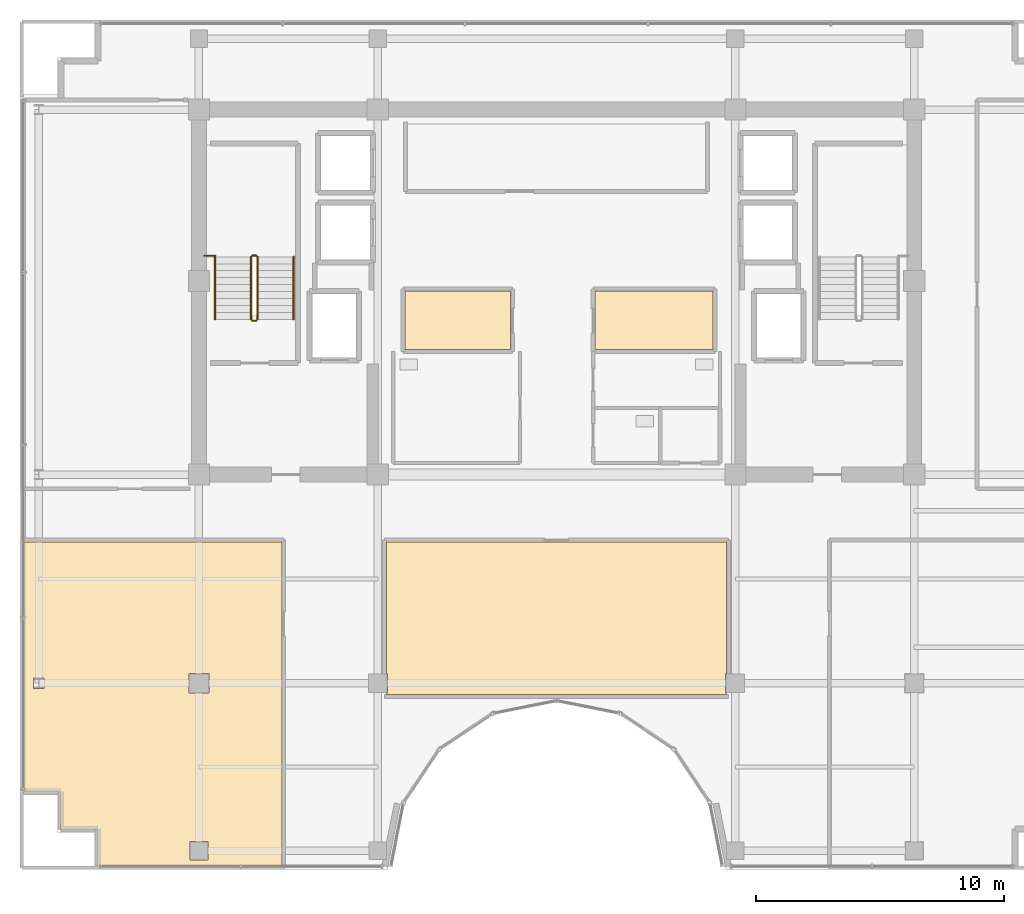
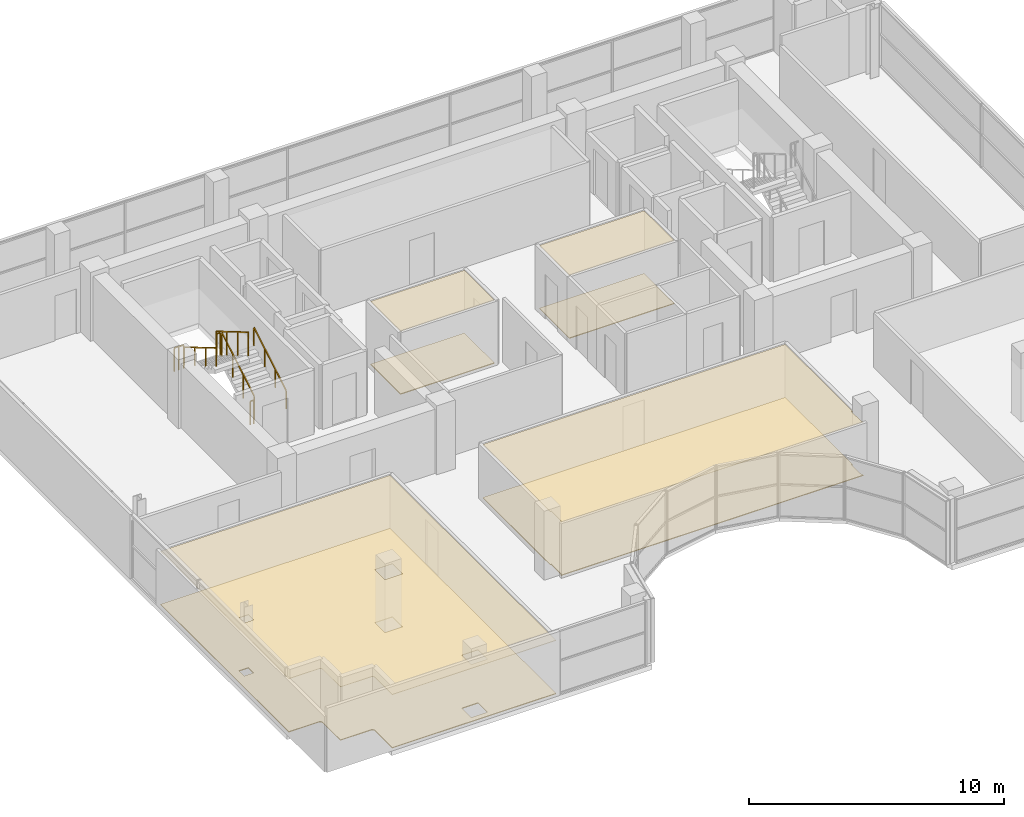
# One storey, part 26 of 29: 8 coverings, 7 railings.
"""IFC4 building model written with IfcOpenShell, lengths in metres."""

from ifc_helpers import new_model, si_unit, direction, frame, origin, origin_2d, place, context, subcontext, project, spatial, polyline, rectangle, outline, extrude, material, layer, layer_set, type_object, element, save


model = new_model("IFC4")

# Units and contexts
model_context = context("Model", 3, precision=1e-05, world=origin(), true_north=direction((0.0, 1.0)))
body_context = subcontext(model_context, "Body", "Model", "MODEL_VIEW")
ifc_project = project(units=[si_unit("LENGTHUNIT", "METRE"), si_unit("AREAUNIT", "SQUARE_METRE"), si_unit("VOLUMEUNIT", "CUBIC_METRE"), si_unit("PLANEANGLEUNIT", "RADIAN"), si_unit("MASSUNIT", "GRAM", prefix="KILO")], contexts=[model_context])

# Site, building, storey
site_placement = place(None, origin())
site = spatial("IfcSite", under=ifc_project, at=site_placement, CompositionType="ELEMENT")
building_placement = place(site_placement, origin())
building = spatial("IfcBuilding", under=site, at=building_placement, Name="Zarnakvel Exchange Tower", CompositionType="ELEMENT")
storey_placement = place(building_placement, frame((0.0, 0.0, 265.0)))
storey = spatial("IfcBuildingStorey", under=building, at=storey_placement, Name="L75", CompositionType="ELEMENT", Elevation=265.0)

# Coverings
ifc_material_1 = material(Name="Perforated Bronze Acoustic Metal Ceiling", Category="aluminium")
ifc_layer_1 = layer(ifc_material_1, 0.02001953125)
ifc_layer_set_1 = layer_set([ifc_layer_1], Name="Perforated Bronze Acoustic Metal Ceiling")
covering_type_1 = type_object("IfcCoveringType", Name="CLG-01", PredefinedType="CEILING", material=ifc_layer_set_1)
covering_1_placement = place(storey_placement, frame((0.0, 0.0, 3.014892578125)))
element("IfcCovering", 1, at=covering_1_placement, inside=storey, type_object=covering_type_1, Name="L75 Suspended Acoustic Ceiling (Sovereign Compliance Office)", PredefinedType="CEILING", context=body_context, shape_type="SweptSolid", body=[
    extrude(outline(polyline([(-6.10009765625, 6.199951171875), (-1.85009765625, 6.199951171875), (-1.85009765625, 3.840087890625), (-6.10009765625, 3.840087890625), (-6.10009765625, 6.199951171875)])), origin(), (0.0, 0.0, 1.0), 0.02001953125),
])
covering_2_placement = place(storey_placement, frame((0.0, 0.0, 3.014892578125)))
element("IfcCovering", 2, at=covering_2_placement, inside=storey, type_object=covering_type_1, Name="L75 Suspended Acoustic Ceiling (Depository Legal Office)", PredefinedType="CEILING", context=body_context, shape_type="SweptSolid", body=[
    extrude(outline(polyline([(1.550048828125, 6.199951171875), (6.300048828125, 6.199951171875), (6.300048828125, 3.840087890625), (1.550048828125, 3.840087890625), (1.550048828125, 6.199951171875)])), origin(), (0.0, 0.0, 1.0), 0.02001953125),
])
covering_3_placement = place(storey_placement, frame((0.0, 0.0, 2.554931640625)))
element("IfcCovering", 3, at=covering_3_placement, inside=storey, type_object=covering_type_1, Name="L75 Suspended Acoustic Ceiling (Commodities Dealing Room)", PredefinedType="CEILING", context=body_context, shape_type="SweptSolid", body=[
    extrude(outline(polyline([(-11.06005859375, -3.909912109375), (-11.06005859375, -16.949951171875), (-18.47998046875, -16.949951171875), (-18.47998046875, -15.60009765625), (-18.48046875, -15.588134765625), (-18.482421875, -15.57666015625), (-18.485107421875, -15.565185546875), (-18.489013671875, -15.55419921875), (-18.494140625, -15.54345703125), (-18.500244140625, -15.533447265625), (-18.50732421875, -15.52392578125), (-18.51513671875, -15.51513671875), (-18.52392578125, -15.50732421875), (-18.533447265625, -15.500244140625), (-18.54345703125, -15.494140625), (-18.55419921875, -15.489013671875), (-18.565185546875, -15.485107421875), (-18.57666015625, -15.482421875), (-18.588134765625, -15.48046875), (-18.60009765625, -15.47998046875), (-19.97998046875, -15.47998046875), (-19.97998046875, -14.10009765625), (-19.98046875, -14.088134765625), (-19.982421875, -14.07666015625), (-19.985107421875, -14.065185546875), (-19.989013671875, -14.05419921875), (-19.994140625, -14.04345703125), (-20.000244140625, -14.033447265625), (-20.00732421875, -14.02392578125), (-20.01513671875, -14.01513671875), (-20.02392578125, -14.00732421875), (-20.033447265625, -14.000244140625), (-20.04345703125, -13.994140625), (-20.05419921875, -13.989013671875), (-20.065185546875, -13.985107421875), (-20.07666015625, -13.982421875), (-20.088134765625, -13.98046875), (-20.10009765625, -13.97998046875), (-21.449951171875, -13.97998046875), (-21.449951171875, -3.909912109375), (-11.06005859375, -3.909912109375)]), holes=[polyline([(-14.0048828125, -9.9951171875), (-14.0048828125, -9.205078125), (-14.794921875, -9.205078125), (-14.794921875, -9.9951171875), (-14.0048828125, -9.9951171875)]), polyline([(-14.030029296875, -15.97998046875), (-14.77001953125, -15.97998046875), (-14.77001953125, -16.719970703125), (-14.030029296875, -16.719970703125), (-14.030029296875, -15.97998046875)]), polyline([(-20.642578125, -9.807373046875), (-20.642578125, -9.392578125), (-21.057373046875, -9.392578125), (-21.057373046875, -9.807373046875), (-20.642578125, -9.807373046875)])]), origin(), (0.0, 0.0, 1.0), 0.02001953125),
])
covering_4_placement = place(storey_placement, frame((0.0, 0.0, 2.554931640625)))
element("IfcCovering", 4, at=covering_4_placement, inside=storey, type_object=covering_type_1, Name="L75 Suspended Acoustic Ceiling (Breakout Lounge)", PredefinedType="CEILING", context=body_context, shape_type="SweptSolid", body=[
    extrude(outline(polyline([(-6.85009765625, -9.9951171875), (-6.804931640625, -9.9951171875), (-6.804931640625, -9.205078125), (-6.85009765625, -9.205078125), (-6.85009765625, -3.909912109375), (6.85009765625, -3.909912109375), (6.85009765625, -9.205078125), (6.804931640625, -9.205078125), (6.804931640625, -9.9951171875), (6.85009765625, -9.9951171875), (6.85009765625, -10.050048828125), (-6.85009765625, -10.050048828125), (-6.85009765625, -9.9951171875)])), origin(), (0.0, 0.0, 1.0), 0.02001953125),
])
ifc_material_2 = material(Name="Heavy-Duty Raised Access Floor Panel", Category="steel")
ifc_layer_2 = layer(ifc_material_2, 0.034912109375)
ifc_layer_set_2 = layer_set([ifc_layer_2], Name="Heavy-Duty Raised Access Floor Panel")
covering_type_2 = type_object("IfcCoveringType", Name="FLR-02", PredefinedType="FLOORING", material=ifc_layer_set_2)
covering_5_placement = place(storey_placement, origin())
element("IfcCovering", 5, at=covering_5_placement, inside=storey, type_object=covering_type_2, Name="L75 Floor Finish (Sovereign Compliance Office)", PredefinedType="FLOORING", context=body_context, shape_type="SweptSolid", body=[
    extrude(outline(polyline([(-6.10009765625, 6.199951171875), (-1.85009765625, 6.199951171875), (-1.85009765625, 3.840087890625), (-6.10009765625, 3.840087890625), (-6.10009765625, 6.199951171875)])), origin(), (0.0, 0.0, 1.0), 0.034912109375),
])
covering_6_placement = place(storey_placement, origin())
element("IfcCovering", 6, at=covering_6_placement, inside=storey, type_object=covering_type_2, Name="L75 Floor Finish (Depository Legal Office)", PredefinedType="FLOORING", context=body_context, shape_type="SweptSolid", body=[
    extrude(outline(polyline([(1.550048828125, 6.199951171875), (6.300048828125, 6.199951171875), (6.300048828125, 3.840087890625), (1.550048828125, 3.840087890625), (1.550048828125, 6.199951171875)])), origin(), (0.0, 0.0, 1.0), 0.034912109375),
])
covering_7_placement = place(storey_placement, origin())
element("IfcCovering", 7, at=covering_7_placement, inside=storey, type_object=covering_type_2, Name="L75 Floor Finish (Commodities Dealing Room)", PredefinedType="FLOORING", context=body_context, shape_type="SweptSolid", body=[
    extrude(outline(polyline([(-11.06005859375, -3.909912109375), (-11.06005859375, -16.949951171875), (-18.47998046875, -16.949951171875), (-18.47998046875, -15.60009765625), (-18.48046875, -15.588134765625), (-18.482421875, -15.57666015625), (-18.485107421875, -15.565185546875), (-18.489013671875, -15.55419921875), (-18.494140625, -15.54345703125), (-18.500244140625, -15.533447265625), (-18.50732421875, -15.52392578125), (-18.51513671875, -15.51513671875), (-18.52392578125, -15.50732421875), (-18.533447265625, -15.500244140625), (-18.54345703125, -15.494140625), (-18.55419921875, -15.489013671875), (-18.565185546875, -15.485107421875), (-18.57666015625, -15.482421875), (-18.588134765625, -15.48046875), (-18.60009765625, -15.47998046875), (-19.97998046875, -15.47998046875), (-19.97998046875, -14.10009765625), (-19.98046875, -14.088134765625), (-19.982421875, -14.07666015625), (-19.985107421875, -14.065185546875), (-19.989013671875, -14.05419921875), (-19.994140625, -14.04345703125), (-20.000244140625, -14.033447265625), (-20.00732421875, -14.02392578125), (-20.01513671875, -14.01513671875), (-20.02392578125, -14.00732421875), (-20.033447265625, -14.000244140625), (-20.04345703125, -13.994140625), (-20.05419921875, -13.989013671875), (-20.065185546875, -13.985107421875), (-20.07666015625, -13.982421875), (-20.088134765625, -13.98046875), (-20.10009765625, -13.97998046875), (-21.449951171875, -13.97998046875), (-21.449951171875, -3.909912109375), (-11.06005859375, -3.909912109375)]), holes=[polyline([(-14.0048828125, -9.9951171875), (-14.0048828125, -9.205078125), (-14.794921875, -9.205078125), (-14.794921875, -9.9951171875), (-14.0048828125, -9.9951171875)]), polyline([(-14.030029296875, -15.97998046875), (-14.77001953125, -15.97998046875), (-14.77001953125, -16.719970703125), (-14.030029296875, -16.719970703125), (-14.030029296875, -15.97998046875)]), polyline([(-20.642578125, -9.807373046875), (-20.642578125, -9.392578125), (-21.057373046875, -9.392578125), (-21.057373046875, -9.807373046875), (-20.642578125, -9.807373046875)])]), origin(), (0.0, 0.0, 1.0), 0.034912109375),
])
covering_8_placement = place(storey_placement, origin())
element("IfcCovering", 8, at=covering_8_placement, inside=storey, type_object=covering_type_2, Name="L75 Floor Finish (Breakout Lounge)", PredefinedType="FLOORING", context=body_context, shape_type="SweptSolid", body=[
    extrude(outline(polyline([(-6.85009765625, -9.9951171875), (-6.804931640625, -9.9951171875), (-6.804931640625, -9.205078125), (-6.85009765625, -9.205078125), (-6.85009765625, -3.909912109375), (6.85009765625, -3.909912109375), (6.85009765625, -9.205078125), (6.804931640625, -9.205078125), (6.804931640625, -9.9951171875), (6.85009765625, -9.9951171875), (6.85009765625, -10.050048828125), (-6.85009765625, -10.050048828125), (-6.85009765625, -9.9951171875)])), origin(), (0.0, 0.0, 1.0), 0.034912109375),
])

# Railings
ifc_material_3 = material(Name="Brushed Stainless Steel", Category="steel")
railing_type_1 = type_object("IfcRailingType", Name="HR-01", PredefinedType="HANDRAIL", material=ifc_material_3)
railing_1_placement = place(storey_placement, frame((-10.590087890625, 5.050048828125, 0.1650390625)))
element("IfcRailing", 9, at=railing_1_placement, inside=storey, type_object=railing_type_1, Name="L75 ST-01 stair handrail 1", PredefinedType="HANDRAIL", context=body_context, shape_type="SweptSolid", body=[
    extrude(rectangle(XDim=0.048095703125, YDim=0.048095703125, at=origin_2d()), frame((0.0, 0.0, 0.8759765625), z_axis=(0.0, 0.861560626758, 0.507654692109), x_axis=(-1.0, 0.0, 0.0)), (0.0, 0.0, 1.0), 2.925048828125),
    extrude(rectangle(XDim=0.0419921875, YDim=0.0419921875, at=origin_2d()), origin(), (0.0, 0.0, 1.0), 0.851806640625),
    extrude(rectangle(XDim=0.0419921875, YDim=0.0419921875, at=origin_2d()), frame((0.0, 0.840087890625, 0.494873046875)), (0.0, 0.0, 1.0), 0.851806640625),
    extrude(rectangle(XDim=0.0419921875, YDim=0.0419921875, at=origin_2d()), frame((0.0, 1.679931640625, 0.989990234375)), (0.0, 0.0, 1.0), 0.851806640625),
    extrude(rectangle(XDim=0.0419921875, YDim=0.0419921875, at=origin_2d()), frame((0.0, 2.52001953125, 1.48486328125)), (0.0, 0.0, 1.0), 0.851806640625),
])
railing_2_placement = place(storey_placement, frame((-13.75, 7.570068359375, 1.81494140625)))
element("IfcRailing", 10, at=railing_2_placement, inside=storey, type_object=railing_type_1, Name="L75 ST-01 stair handrail 2", PredefinedType="HANDRAIL", context=body_context, shape_type="SweptSolid", body=[
    extrude(rectangle(XDim=0.048095703125, YDim=0.048095703125, at=origin_2d()), frame((0.0, 0.0, 0.8759765625), z_axis=(0.0, -0.86152411907, 0.507716645641), x_axis=(1.0, 0.0, 0.0)), (0.0, 0.0, 1.0), 2.925048828125),
    extrude(rectangle(XDim=0.0419921875, YDim=0.0419921875, at=origin_2d()), origin(), (0.0, 0.0, 1.0), 0.851806640625),
    extrude(rectangle(XDim=0.0419921875, YDim=0.0419921875, at=origin_2d()), frame((0.0, -0.840087890625, 0.4951171875)), (0.0, 0.0, 1.0), 0.851806640625),
    extrude(rectangle(XDim=0.0419921875, YDim=0.0419921875, at=origin_2d()), frame((0.0, -1.679931640625, 0.989990234375)), (0.0, 0.0, 1.0), 0.851806640625),
    extrude(rectangle(XDim=0.0419921875, YDim=0.0419921875, at=origin_2d()), frame((0.0, -2.52001953125, 1.485107421875)), (0.0, 0.0, 1.0), 0.851806640625),
])
ifc_material_4 = material(Name="Architectural Bronze Anodised Aluminium", Category="aluminium")
railing_type_2 = type_object("IfcRailingType", Name="SG-01", PredefinedType="GUARDRAIL", material=ifc_material_4)
railing_3_placement = place(storey_placement, frame((-12.0400390625, 5.050048828125, 0.1650390625)))
element("IfcRailing", 11, at=railing_3_placement, inside=storey, type_object=railing_type_2, Name="L75 ST-01 stair guard 1", PredefinedType="GUARDRAIL", context=body_context, shape_type="SweptSolid", body=[
    extrude(rectangle(XDim=0.048095703125, YDim=0.048095703125, at=origin_2d()), frame((0.0, 0.0, 1.1259765625), z_axis=(0.0, 0.861560626758, 0.507654692109), x_axis=(-1.0, 0.0, 0.0)), (0.0, 0.0, 1.0), 2.925048828125),
    extrude(rectangle(XDim=0.0419921875, YDim=0.0419921875, at=origin_2d()), origin(), (0.0, 0.0, 1.0), 1.101806640625),
    extrude(rectangle(XDim=0.0419921875, YDim=0.0419921875, at=origin_2d()), frame((0.0, 0.840087890625, 0.494873046875)), (0.0, 0.0, 1.0), 1.101806640625),
    extrude(rectangle(XDim=0.0419921875, YDim=0.0419921875, at=origin_2d()), frame((0.0, 1.679931640625, 0.989990234375)), (0.0, 0.0, 1.0), 1.101806640625),
    extrude(rectangle(XDim=0.0419921875, YDim=0.0419921875, at=origin_2d()), frame((0.0, 2.52001953125, 1.48486328125)), (0.0, 0.0, 1.0), 1.101806640625),
])
railing_4_placement = place(storey_placement, frame((-12.090087890625, 7.6201171875, 1.64990234375)))
element("IfcRailing", 12, at=railing_4_placement, inside=storey, type_object=railing_type_2, Name="L75 ST-01 stair guard 2", PredefinedType="GUARDRAIL", context=body_context, shape_type="SweptSolid", body=[
    extrude(rectangle(XDim=0.048095703125, YDim=0.048095703125, at=origin_2d()), frame((0.0, 0.0, 1.1259765625), z_axis=(-1.0, 0.0, 0.0), x_axis=(0.0, -1.0, 0.0)), (0.0, 0.0, 1.0), 0.159912109375),
    extrude(rectangle(XDim=0.0419921875, YDim=0.0419921875, at=origin_2d()), origin(), (0.0, 0.0, 1.0), 1.101806640625),
    extrude(rectangle(XDim=0.0419921875, YDim=0.0419921875, at=origin_2d()), frame((-0.159912109375, 0.0, 0.0)), (0.0, 0.0, 1.0), 1.101806640625),
])
railing_5_placement = place(storey_placement, frame((-12.300048828125, 7.570068359375, 1.81494140625)))
element("IfcRailing", 13, at=railing_5_placement, inside=storey, type_object=railing_type_2, Name="L75 ST-01 stair guard 3", PredefinedType="GUARDRAIL", context=body_context, shape_type="SweptSolid", body=[
    extrude(rectangle(XDim=0.048095703125, YDim=0.048095703125, at=origin_2d()), frame((0.0, 0.0, 1.1259765625), z_axis=(0.0, -0.86152411907, 0.507716645641), x_axis=(1.0, 0.0, 0.0)), (0.0, 0.0, 1.0), 2.925048828125),
    extrude(rectangle(XDim=0.0419921875, YDim=0.0419921875, at=origin_2d()), origin(), (0.0, 0.0, 1.0), 1.101806640625),
    extrude(rectangle(XDim=0.0419921875, YDim=0.0419921875, at=origin_2d()), frame((0.0, -0.840087890625, 0.4951171875)), (0.0, 0.0, 1.0), 1.101806640625),
    extrude(rectangle(XDim=0.0419921875, YDim=0.0419921875, at=origin_2d()), frame((0.0, -1.679931640625, 0.989990234375)), (0.0, 0.0, 1.0), 1.101806640625),
    extrude(rectangle(XDim=0.0419921875, YDim=0.0419921875, at=origin_2d()), frame((0.0, -2.52001953125, 1.485107421875)), (0.0, 0.0, 1.0), 1.101806640625),
])
railing_6_placement = place(storey_placement, frame((-12.090087890625, 5.0, 0.0)))
element("IfcRailing", 14, at=railing_6_placement, inside=storey, type_object=railing_type_2, Name="L75 ST-01 stair guard 4", PredefinedType="GUARDRAIL", context=body_context, shape_type="SweptSolid", body=[
    extrude(rectangle(XDim=0.048095703125, YDim=0.048095703125, at=origin_2d()), frame((0.0, 0.0, 1.1259765625), z_axis=(-1.0, 0.0, 0.0), x_axis=(0.0, -1.0, 0.0)), (0.0, 0.0, 1.0), 0.159912109375),
    extrude(rectangle(XDim=0.0419921875, YDim=0.0419921875, at=origin_2d()), origin(), (0.0, 0.0, 1.0), 1.101806640625),
    extrude(rectangle(XDim=0.0419921875, YDim=0.0419921875, at=origin_2d()), frame((-0.159912109375, 0.0, 0.0)), (0.0, 0.0, 1.0), 1.101806640625),
])
railing_7_placement = place(storey_placement, frame((-14.179931640625, 7.610107421875, 1.64990234375)))
element("IfcRailing", 15, at=railing_7_placement, inside=storey, type_object=railing_type_2, Name="L75 ST-01 Landing Slot Guardrail", PredefinedType="GUARDRAIL", context=body_context, shape_type="SweptSolid", body=[
    extrude(rectangle(XDim=0.048095703125, YDim=0.048095703125, at=origin_2d()), frame((0.0, 0.0, 1.1259765625), z_axis=(1.0, 0.0, 0.0), x_axis=(0.0, 1.0, 0.0)), (0.0, 0.0, 1.0), 0.429931640625),
    extrude(rectangle(XDim=0.0419921875, YDim=0.0419921875, at=origin_2d()), origin(), (0.0, 0.0, 1.0), 1.101806640625),
    extrude(rectangle(XDim=0.0419921875, YDim=0.0419921875, at=origin_2d()), frame((0.21484375, 0.0, 0.0)), (0.0, 0.0, 1.0), 1.101806640625),
    extrude(rectangle(XDim=0.0419921875, YDim=0.0419921875, at=origin_2d()), frame((0.429931640625, 0.0, 0.0)), (0.0, 0.0, 1.0), 1.101806640625),
])

save(model, "model.ifc")
